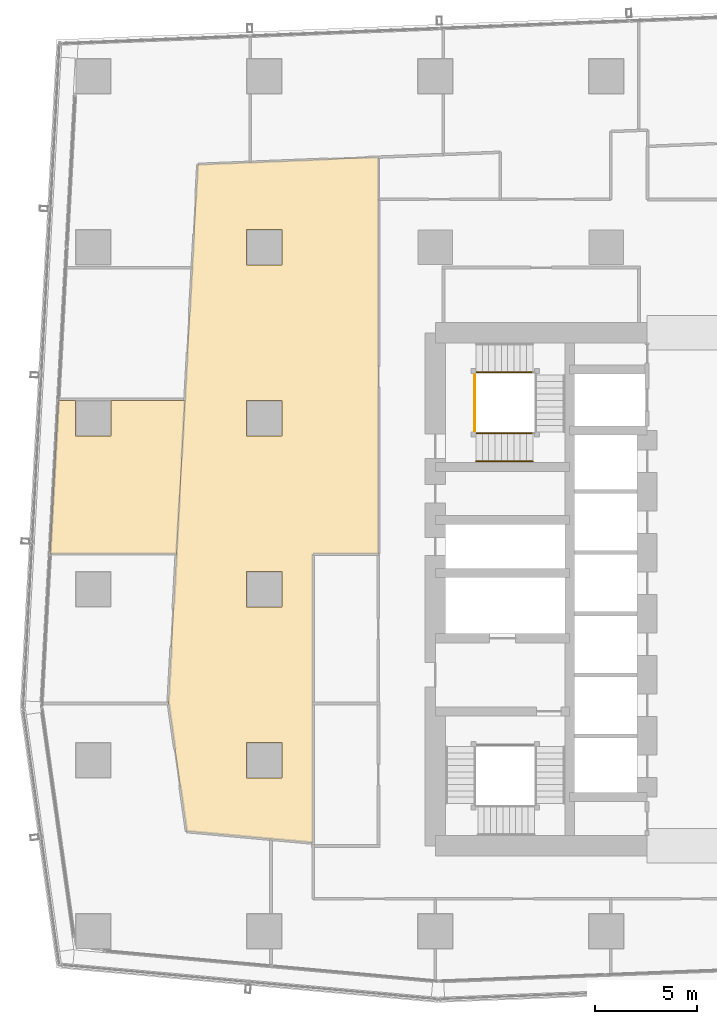
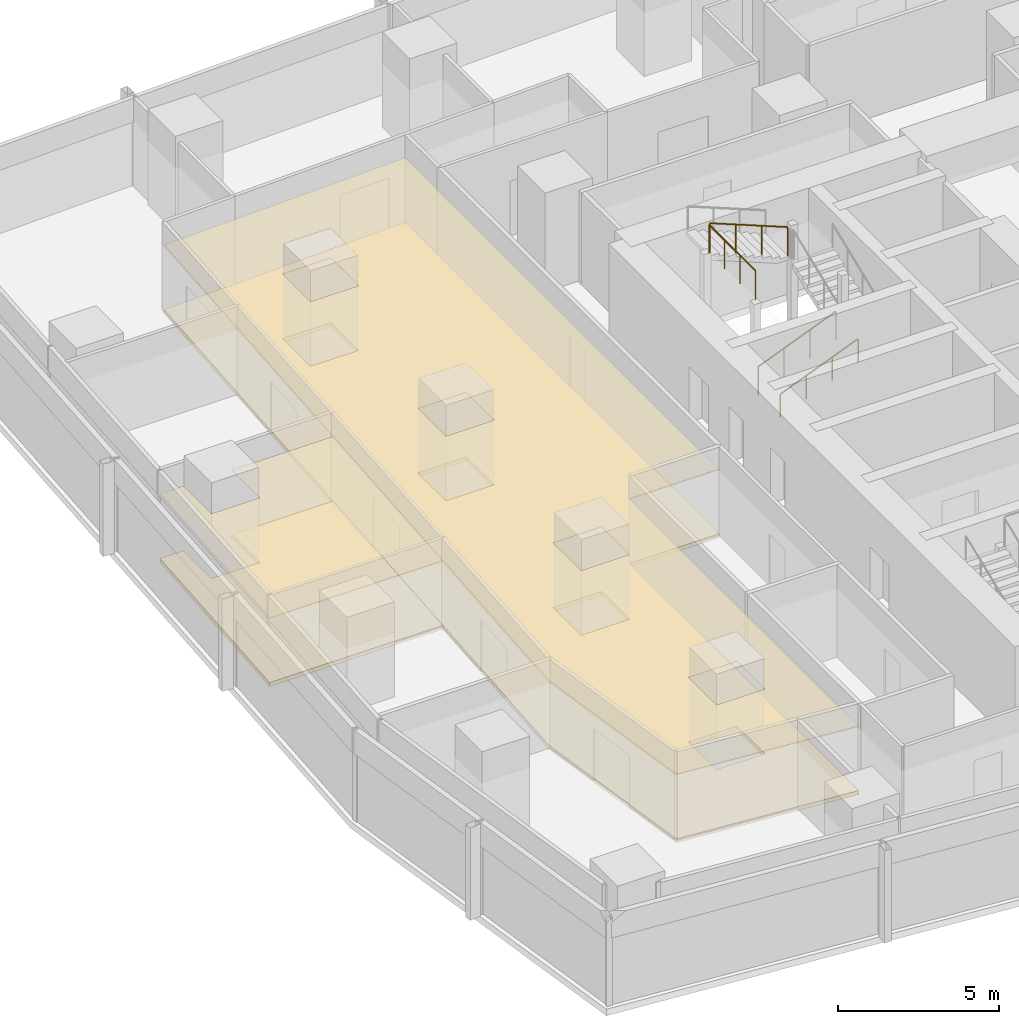
# One storey, part 35 of 40: 4 coverings, 4 railings.
"""IFC4 building model written with IfcOpenShell, lengths in metres."""

from ifc_helpers import new_model, si_unit, direction, frame, origin, origin_2d, place, context, subcontext, project, spatial, polyline, circle, outline, extrude, material, layer, layer_set, type_object, element, save


model = new_model("IFC4")

# Units and contexts
model_context = context("Model", 3, precision=1e-05, world=origin(), true_north=direction((0.0, 1.0)))
body_context = subcontext(model_context, "Body", "Model", "MODEL_VIEW")
ifc_project = project(units=[si_unit("LENGTHUNIT", "METRE"), si_unit("AREAUNIT", "SQUARE_METRE"), si_unit("VOLUMEUNIT", "CUBIC_METRE"), si_unit("PLANEANGLEUNIT", "RADIAN"), si_unit("MASSUNIT", "GRAM", prefix="KILO")], contexts=[model_context])

# Site, building, storey
site_placement = place(None, origin())
site = spatial("IfcSite", under=ifc_project, at=site_placement, CompositionType="ELEMENT")
building_placement = place(site_placement, origin())
building = spatial("IfcBuilding", under=site, at=building_placement, Name="Rekha Terrace Tower", CompositionType="ELEMENT")
storey_placement = place(building_placement, frame((0.0, 0.0, 99.050048828125)))
storey = spatial("IfcBuildingStorey", under=building, at=storey_placement, Name="L24", CompositionType="ELEMENT", Elevation=99.050048828125)

# Coverings
ifc_material_1 = material(Name="Mineral fibre tile in exposed grid", Category="finish")
ifc_layer_1 = layer(ifc_material_1, 0.02001953125)
ifc_layer_set_1 = layer_set([ifc_layer_1], Name="Mineral fibre tile in exposed grid")
covering_type_1 = type_object("IfcCoveringType", Name="CL1 600x1200 office grid ceiling", PredefinedType="CEILING", material=ifc_layer_set_1)
covering_1_placement = place(storey_placement, frame((0.0, 0.0, 2.579833984375)))
element("IfcCovering", 1, at=covering_1_placement, inside=storey, type_object=covering_type_1, Name="Ceiling L24-09", PredefinedType="CEILING", context=body_context, shape_type="SweptSolid", body=[
    extrude(outline(polyline([(7.534912109375, 42.8720703125), (6.68994140625, 42.8720703125), (6.277099609375, 35.343994140625), (12.486083984375, 35.343994140625), (12.89892578125, 42.8720703125), (9.264892578125, 42.8720703125), (9.264892578125, 41.135009765625), (7.534912109375, 41.135009765625), (7.534912109375, 42.8720703125)])), origin(), (0.0, 0.0, 1.0), 0.02001953125),
])
covering_2_placement = place(storey_placement, frame((0.0, 0.0, 2.579833984375)))
element("IfcCovering", 2, at=covering_2_placement, inside=storey, type_object=covering_type_1, Name="Ceiling L24-O2b", PredefinedType="CEILING", context=body_context, shape_type="SweptSolid", body=[
    extrude(outline(polyline([(12.087890625, 28.0791015625), (12.09912109375, 28.0), (12.986083984375, 21.7099609375), (17.135009765625, 21.3330078125), (19.199951171875, 21.14599609375), (19.199951171875, 35.343994140625), (22.39990234375, 35.343994140625), (22.39990234375, 54.827880859375), (16.0859375, 54.574951171875), (13.534912109375, 54.472900390625), (13.257080078125, 49.403076171875), (12.89892578125, 42.8720703125), (12.486083984375, 35.343017578125), (12.087890625, 28.0791015625)]), holes=[polyline([(17.6650390625, 26.06494140625), (17.6650390625, 24.3349609375), (15.93505859375, 24.3349609375), (15.93505859375, 26.06494140625), (17.6650390625, 26.06494140625)]), polyline([(17.6650390625, 34.465087890625), (17.6650390625, 32.735107421875), (15.93505859375, 32.735107421875), (15.93505859375, 34.465087890625), (17.6650390625, 34.465087890625)]), polyline([(17.6650390625, 41.135009765625), (15.93505859375, 41.135009765625), (15.93505859375, 42.864990234375), (17.6650390625, 42.864990234375), (17.6650390625, 41.135009765625)]), polyline([(17.6650390625, 49.534912109375), (15.93505859375, 49.534912109375), (15.93505859375, 51.264892578125), (17.6650390625, 51.264892578125), (17.6650390625, 49.534912109375)])]), origin(), (0.0, 0.0, 1.0), 0.02001953125),
])

# Railings
ifc_material_2 = material(Name="Stainless steel balustrade", Category="steel")
railing_type_1 = type_object("IfcRailingType", Name="GR1 1100 stair guard", PredefinedType="GUARDRAIL", material=ifc_material_2)
railing_1_placement = place(storey_placement, frame((27.199951171875, 41.264892578125, 0.125)))
element("IfcRailing", 3, at=railing_1_placement, inside=storey, type_object=railing_type_1, Name="Guard ST4 L24 flight 1", PredefinedType="GUARDRAIL", context=body_context, shape_type="SweptSolid", body=[
    extrude(circle(Radius=0.02392578125, at=origin_2d()), frame((0.0, 0.0, 1.076171875), z_axis=(0.927443287984, 0.0, 0.373963831907), x_axis=(0.0, 1.0, 0.0)), (0.0, 0.0, 1.0), 3.00830078125),
    extrude(circle(Radius=0.02099609375, at=origin_2d()), origin(), (0.0, 0.0, 1.0), 1.052001953125),
    extrude(circle(Radius=0.02099609375, at=origin_2d()), frame((0.929931640625, 0.0, 0.375)), (0.0, 0.0, 1.0), 1.052001953125),
    extrude(circle(Radius=0.02099609375, at=origin_2d()), frame((1.860107421875, 0.0, 0.75)), (0.0, 0.0, 1.0), 1.052001953125),
    extrude(circle(Radius=0.02099609375, at=origin_2d()), frame((2.7900390625, 0.0, 1.125)), (0.0, 0.0, 1.0), 1.052001953125),
])
railing_2_placement = place(storey_placement, frame((29.989990234375, 44.260009765625, 2.625)))
element("IfcRailing", 4, at=railing_2_placement, inside=storey, type_object=railing_type_1, Name="Guard ST4 L24 flight 3", PredefinedType="GUARDRAIL", context=body_context, shape_type="SweptSolid", body=[
    extrude(circle(Radius=0.02392578125, at=origin_2d()), frame((0.0, 0.0, 1.076171875), z_axis=(-0.927443287984, 0.0, 0.373963831907), x_axis=(0.0, -1.0, 0.0)), (0.0, 0.0, 1.0), 3.00830078125),
    extrude(circle(Radius=0.02099609375, at=origin_2d()), origin(), (0.0, 0.0, 1.0), 1.052001953125),
    extrude(circle(Radius=0.02099609375, at=origin_2d()), frame((-0.929931640625, 0.0, 0.375)), (0.0, 0.0, 1.0), 1.052001953125),
    extrude(circle(Radius=0.02099609375, at=origin_2d()), frame((-1.860107421875, 0.0, 0.75)), (0.0, 0.0, 1.0), 1.052001953125),
    extrude(circle(Radius=0.02099609375, at=origin_2d()), frame((-2.7900390625, 0.0, 1.125)), (0.0, 0.0, 1.0), 1.052001953125),
])
railing_3_placement = place(storey_placement, frame((27.139892578125, 41.324951171875, 3.75)))
element("IfcRailing", 5, at=railing_3_placement, inside=storey, type_object=railing_type_1, Name="Guard ST4 L24 landing 4", PredefinedType="GUARDRAIL", context=body_context, shape_type="SweptSolid", body=[
    extrude(circle(Radius=0.02392578125, at=origin_2d()), frame((0.0, 0.0, 1.076171875), z_axis=(0.0, 1.0, 0.0), x_axis=(-1.0, 0.0, 0.0)), (0.0, 0.0, 1.0), 2.875),
    extrude(circle(Radius=0.02099609375, at=origin_2d()), origin(), (0.0, 0.0, 1.0), 1.052001953125),
    extrude(circle(Radius=0.02099609375, at=origin_2d()), frame((0.0, 0.958251953125, 0.0)), (0.0, 0.0, 1.0), 1.052001953125),
    extrude(circle(Radius=0.02099609375, at=origin_2d()), frame((0.0, 1.916748046875, 0.0)), (0.0, 0.0, 1.0), 1.052001953125),
    extrude(circle(Radius=0.02099609375, at=origin_2d()), frame((0.0, 2.875, 0.0)), (0.0, 0.0, 1.0), 1.052001953125),
])
ifc_material_3 = material(Name="Stainless steel tube", Category="steel")
railing_type_2 = type_object("IfcRailingType", Name="HR1 900 stair handrail", PredefinedType="HANDRAIL", material=ifc_material_3)
railing_4_placement = place(storey_placement, frame((27.199951171875, 39.885009765625, 0.125)))
element("IfcRailing", 6, at=railing_4_placement, inside=storey, type_object=railing_type_2, Name="Handrail ST4 L24 flight 1", PredefinedType="HANDRAIL", context=body_context, shape_type="SweptSolid", body=[
    extrude(circle(Radius=0.02392578125, at=origin_2d()), frame((0.0, 0.0, 0.8759765625), z_axis=(0.927443287984, 0.0, 0.373963831907), x_axis=(0.0, 1.0, 0.0)), (0.0, 0.0, 1.0), 3.00830078125),
    extrude(circle(Radius=0.02099609375, at=origin_2d()), origin(), (0.0, 0.0, 1.0), 0.851806640625),
    extrude(circle(Radius=0.02099609375, at=origin_2d()), frame((0.929931640625, 0.0, 0.375)), (0.0, 0.0, 1.0), 0.851806640625),
    extrude(circle(Radius=0.02099609375, at=origin_2d()), frame((1.860107421875, 0.0, 0.75)), (0.0, 0.0, 1.0), 0.851806640625),
    extrude(circle(Radius=0.02099609375, at=origin_2d()), frame((2.7900390625, 0.0, 1.125)), (0.0, 0.0, 1.0), 0.851806640625),
])

# Coverings
ifc_material_4 = material(Name="Calcium sulphate panels on steel pedestals", Category="steel")
ifc_layer_2 = layer(ifc_material_4, 0.14990234375)
ifc_layer_set_2 = layer_set([ifc_layer_2], Name="Calcium sulphate panels on steel pedestals")
covering_type_2 = type_object("IfcCoveringType", Name="RF1 150 raised access floor", PredefinedType="FLOORING", material=ifc_layer_set_2)
covering_3_placement = place(storey_placement, origin())
element("IfcCovering", 7, at=covering_3_placement, inside=storey, type_object=covering_type_2, Name="Raised floor L24-09", PredefinedType="FLOORING", context=body_context, shape_type="SweptSolid", body=[
    extrude(outline(polyline([(7.534912109375, 42.8720703125), (6.68994140625, 42.8720703125), (6.277099609375, 35.343994140625), (12.486083984375, 35.343994140625), (12.89892578125, 42.8720703125), (9.264892578125, 42.8720703125), (9.264892578125, 41.135009765625), (7.534912109375, 41.135009765625), (7.534912109375, 42.8720703125)])), origin(), (0.0, 0.0, 1.0), 0.14990234375),
])
covering_4_placement = place(storey_placement, origin())
element("IfcCovering", 8, at=covering_4_placement, inside=storey, type_object=covering_type_2, Name="Raised floor L24-O2b", PredefinedType="FLOORING", context=body_context, shape_type="SweptSolid", body=[
    extrude(outline(polyline([(12.087890625, 28.0791015625), (12.09912109375, 28.0), (12.986083984375, 21.7099609375), (17.135009765625, 21.3330078125), (19.199951171875, 21.14599609375), (19.199951171875, 35.343994140625), (22.39990234375, 35.343994140625), (22.39990234375, 54.827880859375), (16.0859375, 54.574951171875), (13.534912109375, 54.472900390625), (13.257080078125, 49.403076171875), (12.89892578125, 42.8720703125), (12.486083984375, 35.343017578125), (12.087890625, 28.0791015625)]), holes=[polyline([(17.6650390625, 26.06494140625), (17.6650390625, 24.3349609375), (15.93505859375, 24.3349609375), (15.93505859375, 26.06494140625), (17.6650390625, 26.06494140625)]), polyline([(17.6650390625, 34.465087890625), (17.6650390625, 32.735107421875), (15.93505859375, 32.735107421875), (15.93505859375, 34.465087890625), (17.6650390625, 34.465087890625)]), polyline([(17.6650390625, 41.135009765625), (15.93505859375, 41.135009765625), (15.93505859375, 42.864990234375), (17.6650390625, 42.864990234375), (17.6650390625, 41.135009765625)]), polyline([(17.6650390625, 49.534912109375), (15.93505859375, 49.534912109375), (15.93505859375, 51.264892578125), (17.6650390625, 51.264892578125), (17.6650390625, 49.534912109375)])]), origin(), (0.0, 0.0, 1.0), 0.14990234375),
])

save(model, "model.ifc")
